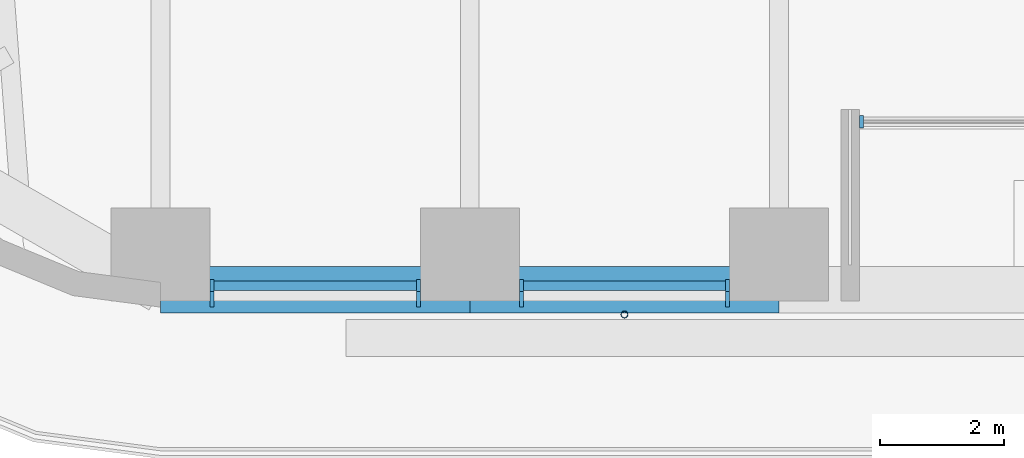
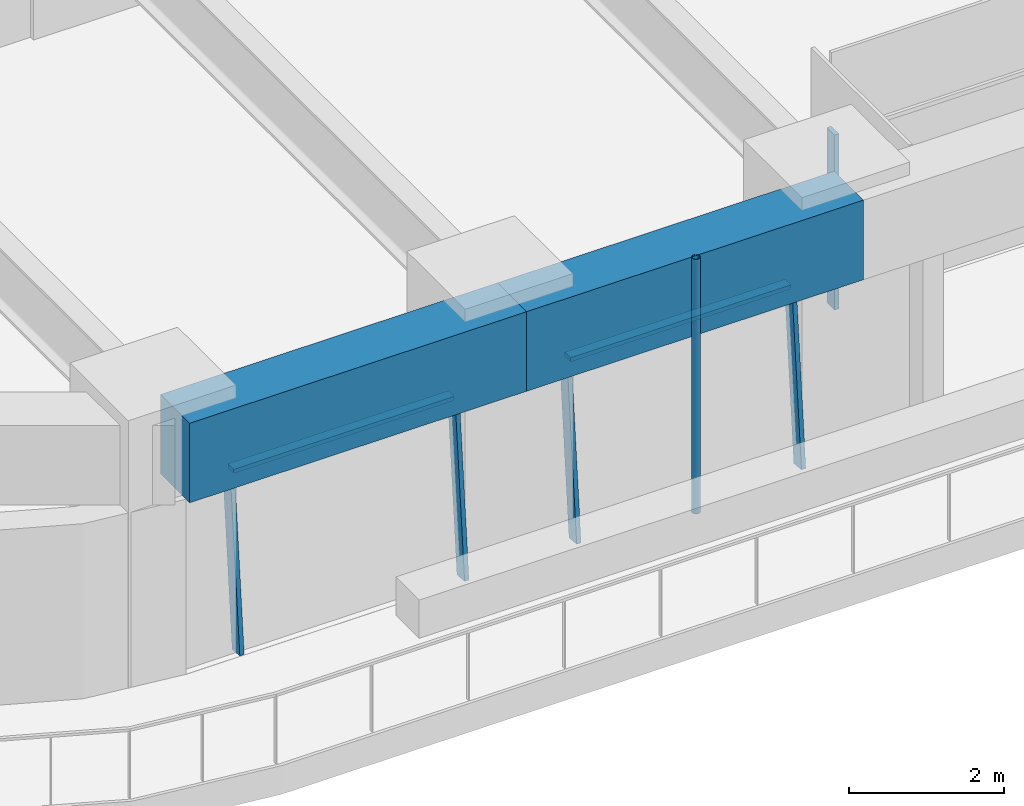
# One storey, part 2 of 24: 8 members, 2 beams, 3 elements without a shape of their own.
"""IFC4 building model written with IfcOpenShell, lengths in metres."""

from ifc_helpers import new_model, si_unit, direction, frame, origin, origin_2d, place, context, subcontext, project, spatial, rectangle, hollow_circle, extrude, material, material_profile, profile_set, type_object, element, aggregate, save


model = new_model("IFC4")

# Units and contexts
model_context = context("Model", 3, precision=1e-05, world=origin(), true_north=direction((0.0, 1.0)))
body_context = subcontext(model_context, "Body", "Model", "MODEL_VIEW")
ifc_project = project(units=[si_unit("LENGTHUNIT", "METRE"), si_unit("AREAUNIT", "SQUARE_METRE"), si_unit("VOLUMEUNIT", "CUBIC_METRE"), si_unit("PLANEANGLEUNIT", "RADIAN"), si_unit("MASSUNIT", "GRAM", prefix="KILO")], contexts=[model_context])

# Site, building, storey
site_placement = place(None, origin())
site = spatial("IfcSite", under=ifc_project, at=site_placement, CompositionType="ELEMENT")
building_placement = place(site_placement, origin())
building = spatial("IfcBuilding", under=site, at=building_placement, Name="Tarfa Lantern Tower", CompositionType="ELEMENT")
storey_placement = place(building_placement, frame((0.0, 0.0, 148.89990234375)))
storey = spatial("IfcBuildingStorey", under=building, at=storey_placement, Name="L33", CompositionType="ELEMENT", Elevation=148.89990234375)

# Curtain wall, members
ifc_material_1 = material(Name="Aluminium framed curtain wall", Category="aluminium")
curtain_wall_type_1 = type_object("IfcCurtainWallType", Name="CW2 CANTED GLAZING MID ZONE 2750", PredefinedType="USERDEFINED", material=ifc_material_1)
curtain_wall_1_placement = place(storey_placement, origin())
curtain_wall_1 = element("IfcCurtainWall", 1, at=curtain_wall_1_placement, inside=storey, type_object=curtain_wall_type_1, Name="CW2 S L33", ObjectType="CURTAIN WALL", PredefinedType="USERDEFINED")
ifc_material_2 = material(Name="Aluminium mullion", Category="aluminium")
ifc_material_profile_1 = material_profile(ifc_material_2, rectangle(XDim=0.06494140625, YDim=0.199951171875, at=origin_2d()), Name="AL MULLION 65x200")
ifc_profile_set_1 = profile_set([ifc_material_profile_1], Name="Aluminium mullion")
member_type_1 = type_object("IfcMemberType", Name="CWM1 MULLION 65x200", PredefinedType="MULLION", material=ifc_profile_set_1)
member_1_placement = place(storey_placement, frame((-14.1787109375, -31.39990234375, 0.0), z_axis=(0.0, 0.090535746043, 0.995893206468), x_axis=(-1.0, 0.0, 0.0)))
member_1 = element("IfcMember", 2, at=member_1_placement, type_object=member_type_1, Name="CW2 mullion 1", PredefinedType="MULLION", context=body_context, shape_type="SweptSolid", body=[
    extrude(rectangle(XDim=0.06494140625, YDim=0.199951171875, at=origin_2d()), origin(), (0.0, 0.0, 1.0), 2.76123046875),
])
member_2_placement = place(storey_placement, frame((-10.83984375, -31.39990234375, 0.0), z_axis=(0.0, 0.090535746043, 0.995893206468), x_axis=(-1.0, 0.0, 0.0)))
member_2 = element("IfcMember", 3, at=member_2_placement, type_object=member_type_1, Name="CW2 mullion 2", PredefinedType="MULLION", context=body_context, shape_type="SweptSolid", body=[
    extrude(rectangle(XDim=0.06494140625, YDim=0.199951171875, at=origin_2d()), origin(), (0.0, 0.0, 1.0), 2.76123046875),
])

curtain_wall_2_placement = place(storey_placement, origin())
curtain_wall_2 = element("IfcCurtainWall", 4, at=curtain_wall_2_placement, inside=storey, type_object=curtain_wall_type_1, Name="CW2 S L33", ObjectType="CURTAIN WALL", PredefinedType="USERDEFINED")
member_3_placement = place(storey_placement, frame((-9.1748046875, -31.39990234375, 0.0), z_axis=(0.0, 0.090535746043, 0.995893206468), x_axis=(-1.0, 0.0, 0.0)))
member_3 = element("IfcMember", 5, at=member_3_placement, type_object=member_type_1, Name="CW2 mullion 1", PredefinedType="MULLION", context=body_context, shape_type="SweptSolid", body=[
    extrude(rectangle(XDim=0.06494140625, YDim=0.199951171875, at=origin_2d()), origin(), (0.0, 0.0, 1.0), 2.76123046875),
])
member_4_placement = place(storey_placement, frame((-5.836181640625, -31.39990234375, 0.0), z_axis=(0.0, 0.090535746043, 0.995893206468), x_axis=(-1.0, 0.0, 0.0)))
member_4 = element("IfcMember", 6, at=member_4_placement, type_object=member_type_1, Name="CW2 mullion 2", PredefinedType="MULLION", context=body_context, shape_type="SweptSolid", body=[
    extrude(rectangle(XDim=0.06494140625, YDim=0.199951171875, at=origin_2d()), origin(), (0.0, 0.0, 1.0), 2.76123046875),
])

# Curtain wall, member
curtain_wall_type_2 = type_object("IfcCurtainWallType", Name="CW10 LOGGIA GLAZING 2750", PredefinedType="USERDEFINED", material=ifc_material_1)
curtain_wall_3_placement = place(storey_placement, origin())
curtain_wall_3 = element("IfcCurtainWall", 7, at=curtain_wall_3_placement, inside=storey, type_object=curtain_wall_type_2, Name="CW10 SL L33", ObjectType="CURTAIN WALL", PredefinedType="USERDEFINED")
member_5_placement = place(storey_placement, frame((-3.671142578125, -28.5, 0.0), z_axis=(0.0, 0.0, 1.0), x_axis=(1.0, 0.0, 0.0)))
member_5 = element("IfcMember", 8, at=member_5_placement, type_object=member_type_1, Name="CW10 mullion 1", PredefinedType="MULLION", context=body_context, shape_type="SweptSolid", body=[
    extrude(rectangle(XDim=0.06494140625, YDim=0.199951171875, at=origin_2d()), origin(), (0.0, 0.0, 1.0), 2.75),
])
aggregate(curtain_wall_3, [member_5])

# Member
ifc_material_3 = material(Name="Aluminium transom", Category="aluminium")
ifc_material_profile_2 = material_profile(ifc_material_3, rectangle(XDim=0.14990234375, YDim=0.06494140625, at=origin_2d()), Name="AL TRANSOM 150x65")
ifc_profile_set_2 = profile_set([ifc_material_profile_2], Name="Aluminium transom")
member_type_2 = type_object("IfcMemberType", Name="CWT1 TRANSOM 150x65", PredefinedType="USERDEFINED", material=ifc_profile_set_2)
member_6_placement = place(storey_placement, frame((-14.14599609375, -31.153076171875, 2.717529296875), z_axis=(1.0, 0.0, 0.0), x_axis=(0.0, 1.0, 0.0)))
member_6 = element("IfcMember", 9, at=member_6_placement, type_object=member_type_2, Name="CW2 transom 1.2", ObjectType="TRANSOM", PredefinedType="USERDEFINED", context=body_context, shape_type="SweptSolid", body=[
    extrude(rectangle(XDim=0.14990234375, YDim=0.06494140625, at=origin_2d()), origin(), (0.0, 0.0, 1.0), 3.273681640625),
])

aggregate(curtain_wall_1, [member_1, member_2, member_6])

member_7_placement = place(storey_placement, frame((-9.142333984375, -31.153076171875, 2.717529296875), z_axis=(1.0, 0.0, 0.0), x_axis=(0.0, 1.0, 0.0)))
member_7 = element("IfcMember", 10, at=member_7_placement, type_object=member_type_2, Name="CW2 transom 1.2", ObjectType="TRANSOM", PredefinedType="USERDEFINED", context=body_context, shape_type="SweptSolid", body=[
    extrude(rectangle(XDim=0.14990234375, YDim=0.06494140625, at=origin_2d()), origin(), (0.0, 0.0, 1.0), 3.273681640625),
])

aggregate(curtain_wall_2, [member_3, member_4, member_7])

# Beams
ifc_material_4 = material(Name="Concrete C80/95", Category="concrete")
ifc_material_profile_3 = material_profile(ifc_material_4, rectangle(XDim=0.75, YDim=1.25, at=origin_2d()), Name="RC 750x1250")
ifc_profile_set_3 = profile_set([ifc_material_profile_3], Name="Concrete C80/95")
beam_type = type_object("IfcBeamType", Name="EB2 RC 750x1250", PredefinedType="SPANDREL", material=ifc_profile_set_3)
for number, where, z_axis, x_axis, name in (
    (11, (-15.010986328125, -31.219970703125, 3.375), (1.0, 0.0, 0.0), (0.0, 1.0, 0.0), "Edge beam S0"),
    (12, (-10.00732421875, -31.219970703125, 3.375), (1.0, 0.0, 0.0), (0.0, 1.0, 0.0), "Edge beam S1"),
):
    element("IfcBeam", number, at=place(storey_placement, frame(where, z_axis=z_axis, x_axis=x_axis)), inside=storey, type_object=beam_type, Name=name, PredefinedType="SPANDREL", context=body_context, shape_type="SweptSolid", body=[
        extrude(rectangle(XDim=0.75, YDim=1.25, at=origin_2d()), origin(), (0.0, 0.0, 1.0), 5.003662109375),
    ])

# Member
ifc_material_5 = material(Name="Steel S355", Category="steel")
ifc_material_profile_4 = material_profile(ifc_material_5, hollow_circle(Radius=0.05712890625, WallThickness=0.00634765625, at=origin_2d()), Name="CHS114.3x6.3")
ifc_profile_set_4 = profile_set([ifc_material_profile_4], Name="Steel S355")
member_type_3 = type_object("IfcMemberType", Name="TR1 GREEN WALL TRELLIS CHS114.3x6.3", PredefinedType="USERDEFINED", material=ifc_profile_set_4)
member_8_placement = place(storey_placement, frame((-7.505615234375, -31.6201171875, 0.0), z_axis=(0.0, 0.0, 1.0), x_axis=(1.0, 0.0, 0.0)))
element("IfcMember", 13, at=member_8_placement, inside=storey, type_object=member_type_3, Name="Trellis post S 1", ObjectType="TRELLIS", PredefinedType="USERDEFINED", context=body_context, shape_type="SweptSolid", body=[
    extrude(hollow_circle(Radius=0.05712890625, WallThickness=0.00634765625, at=origin_2d()), origin(), (0.0, 0.0, 1.0), 4.0),
])

save(model, "model.ifc")
